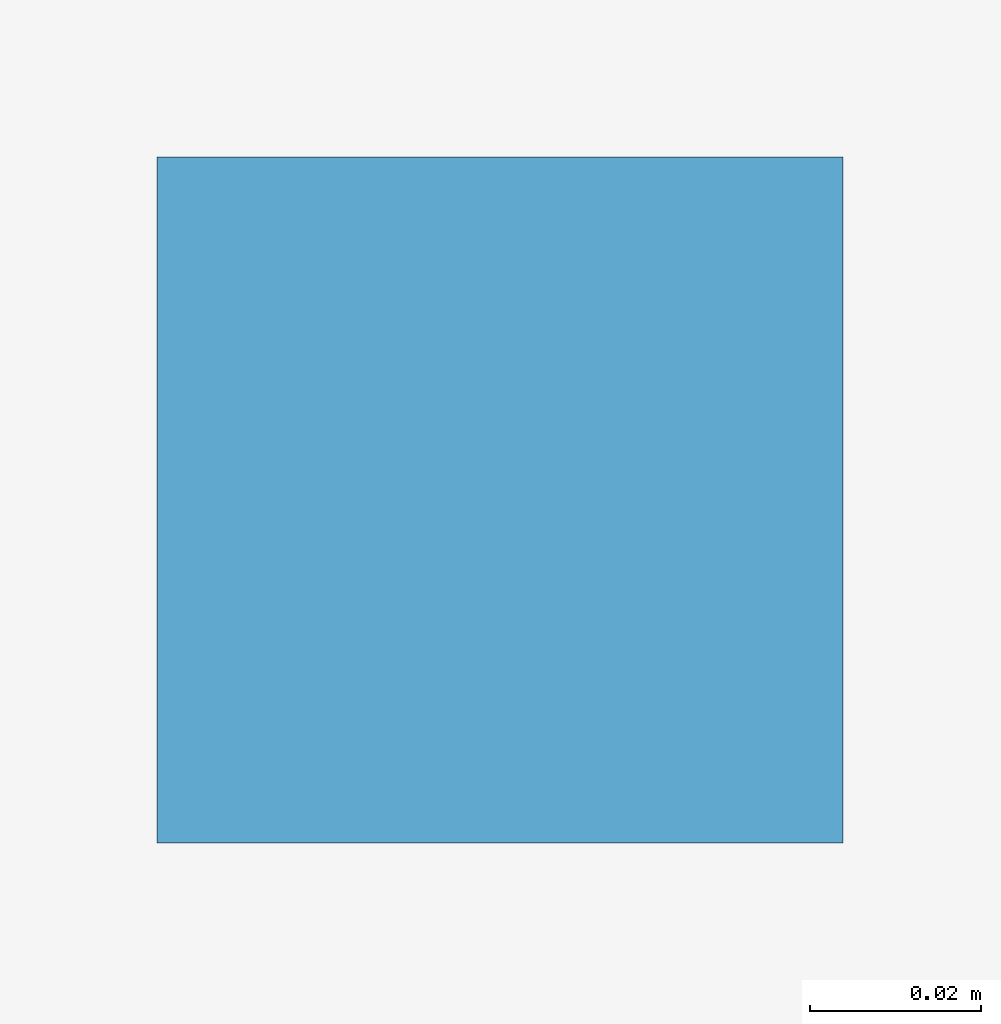
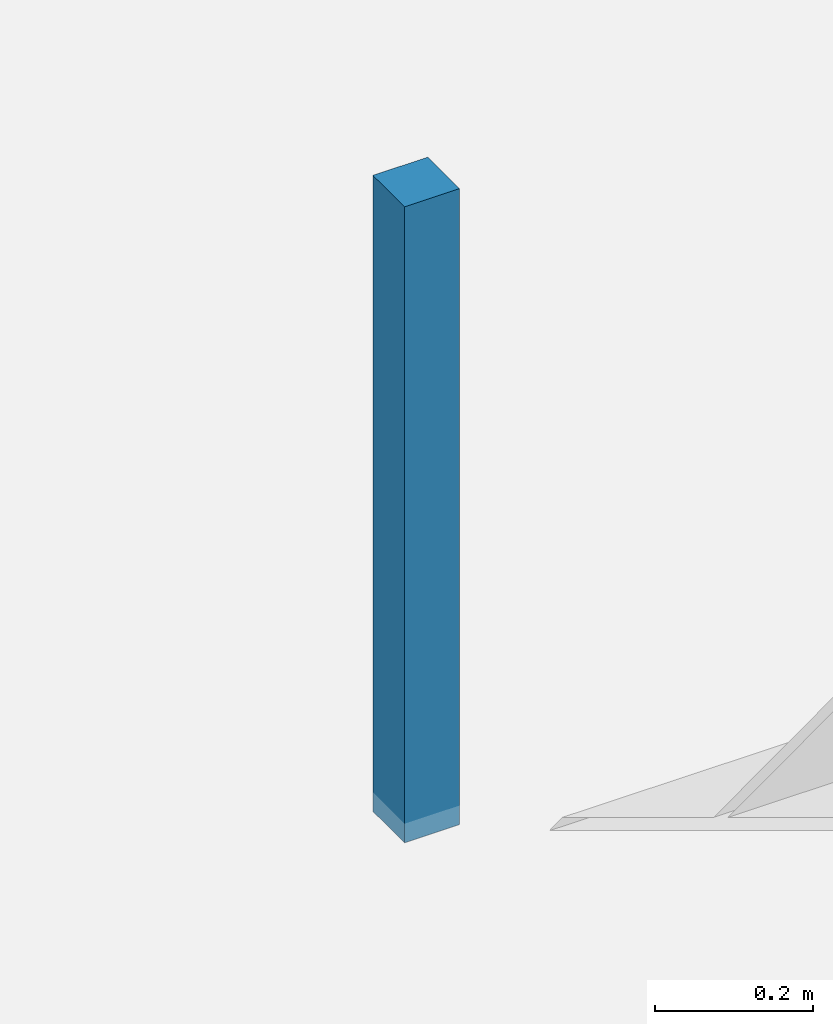
# One storey, part 12 of 17: 1 discrete accessory.
"""IFC4 building model written with IfcOpenShell, lengths in metres."""

from ifc_helpers import new_model, si_unit, direction, frame, origin, origin_2d, place, context, subcontext, project, spatial, rectangle, extrude, source, transform, mapped, material, type_object, element, save


model = new_model("IFC4")

# Units and contexts
model_context = context("Model", 3, precision=1e-05, world=origin(), true_north=direction((0.0, 1.0)))
body_context = subcontext(model_context, "Body", "Model", "MODEL_VIEW")
ifc_project = project(units=[si_unit("LENGTHUNIT", "METRE"), si_unit("AREAUNIT", "SQUARE_METRE"), si_unit("VOLUMEUNIT", "CUBIC_METRE"), si_unit("PLANEANGLEUNIT", "RADIAN"), si_unit("MASSUNIT", "GRAM", prefix="KILO")], contexts=[model_context])

# Site, building, storey
site_placement = place(None, origin())
site = spatial("IfcSite", under=ifc_project, at=site_placement, CompositionType="ELEMENT")
building_placement = place(site_placement, origin())
building = spatial("IfcBuilding", under=site, at=building_placement, Name="Giltprow Tower", CompositionType="ELEMENT")
storey_placement = place(building_placement, frame((0.0, 0.0, 53.300048828125)))
storey = spatial("IfcBuildingStorey", under=building, at=storey_placement, Name="L13", CompositionType="ELEMENT", Elevation=53.300048828125)

# Discrete accessory
ifc_material = material(Name="Structural steel Q355B", Category="steel")
discrete_accessory_type = type_object("IfcDiscreteAccessoryType", Name="ACC-CLG-HANGER", PredefinedType="BRACKET", material=ifc_material)
shared_shape = source(origin(), body_context, "Body", "SweptSolid", [
    extrude(rectangle(XDim=0.080078125, YDim=0.080078125, at=origin_2d()), origin(), (0.0, 0.0, 1.0), 0.97998046875),
])
discrete_accessory_placement = place(storey_placement, frame((25.39990234375, 19.376953125, 2.719970703125), z_axis=(0.0, 0.0, 1.0), x_axis=(1.0, 0.0, 0.0)))
element("IfcDiscreteAccessory", 1, at=discrete_accessory_placement, inside=storey, type_object=discrete_accessory_type, Name="L13 Office Acoustic Ceiling Suspension Hanger", PredefinedType="BRACKET", context=body_context, shape_type="MappedRepresentation", body=[
    mapped(shared_shape, transform((0.0, 0.0, 0.0), x_axis=(1.0, 0.0, 0.0), y_axis=(0.0, 1.0, 0.0), z_axis=(0.0, 0.0, 1.0), scale=1.0)),
])

save(model, "model.ifc")
